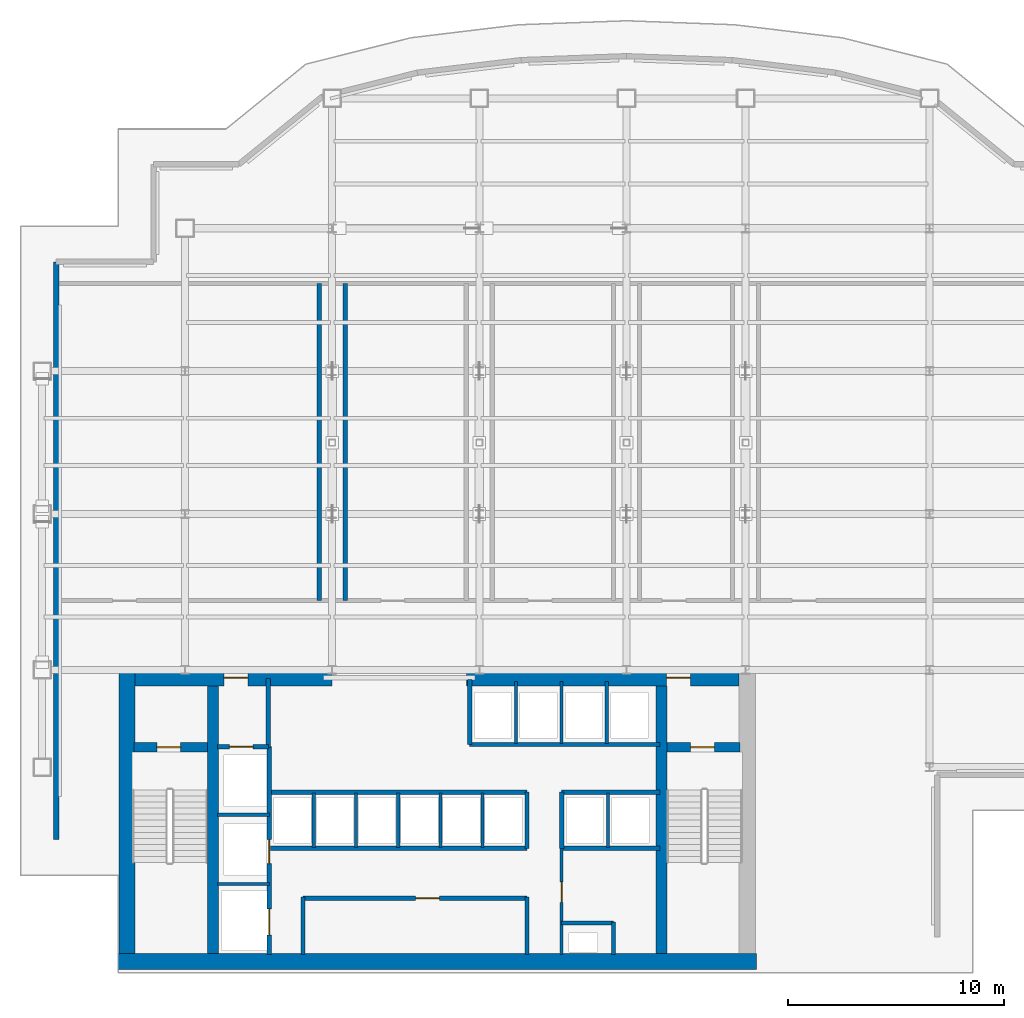
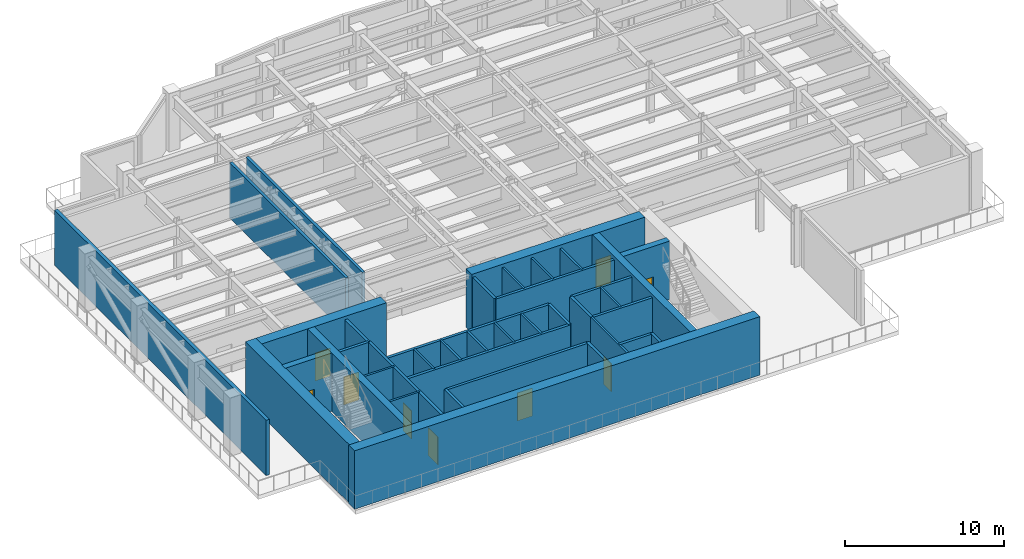
# One storey, part 8 of 12: 39 walls, 9 doors, 9 openings.
"""IFC4 building model written with IfcOpenShell, lengths in metres."""

from ifc_helpers import new_model, si_unit, derived_unit, direction, frame, frame_2d, origin, place, context, subcontext, project, spatial, rectangle, extrude, source, transform, mapped, material, layer, layer_set, type_object, element, fill, save


model = new_model("IFC4")

# Units and contexts
model_context = context("Model", 3, precision=1e-05, world=origin(), true_north=direction((0.0, 1.0)))
body_context = subcontext(model_context, "Body", "Model", "MODEL_VIEW")
ifc_project = project(units=[si_unit("LENGTHUNIT", "METRE"), si_unit("AREAUNIT", "SQUARE_METRE"), si_unit("VOLUMEUNIT", "CUBIC_METRE"), si_unit("PLANEANGLEUNIT", "RADIAN"), si_unit("MASSUNIT", "GRAM", prefix="KILO"), derived_unit("THERMALTRANSMITTANCEUNIT", [(si_unit("POWERUNIT", "WATT"), 1), (si_unit("LENGTHUNIT", "METRE"), -2), (si_unit("THERMODYNAMICTEMPERATUREUNIT", "KELVIN"), -1)])], contexts=[model_context])

# Site, building, storey
site_placement = place(None, origin())
site = spatial("IfcSite", under=ifc_project, at=site_placement, CompositionType="ELEMENT")
building_placement = place(site_placement, origin())
building = spatial("IfcBuilding", under=site, at=building_placement, Name="Skarnbrae Concourse Arena and Tower", CompositionType="ELEMENT")
storey_placement = place(building_placement, frame((0.0, 0.0, 136.10009765625)))
storey = spatial("IfcBuildingStorey", under=building, at=storey_placement, Name="L34", CompositionType="ELEMENT", Elevation=136.10009765625)

# Walls
ifc_material_1 = material(Name="Concrete 60 MPa (C60/75)", Category="concrete")
ifc_layer_1 = layer(ifc_material_1, 0.75)
ifc_layer_set_1 = layer_set([ifc_layer_1], Name="Concrete 60 MPa (C60/75)")
wall_type_1 = type_object("IfcWallType", Name="WALL-CORE-750-C60", PredefinedType="SHEAR", material=ifc_layer_set_1)
shared_shape_1 = source(origin(), body_context, "Body", "SweptSolid", [
    extrude(rectangle(XDim=29.5, YDim=0.75, at=frame_2d((14.75, 0.0))), origin(), (0.0, 0.0, 1.0), 4.5),
])
wall_1_placement = place(storey_placement, frame((4.5, 0.52490234375, 0.0), z_axis=(0.0, 0.0, 1.0), x_axis=(1.0, 0.0, 0.0)))
element("IfcWall", 1, at=wall_1_placement, inside=storey, type_object=wall_type_1, Name="L34 Rear core shear wall CW-S", PredefinedType="SHEAR", context=body_context, shape_type="MappedRepresentation", body=[
    mapped(shared_shape_1, transform((0.0, 0.0, 0.0))),
])
shared_shape_2 = source(origin(), body_context, "Body", "SweptSolid", [
    extrude(rectangle(XDim=13.10009765625, YDim=0.75, at=frame_2d((6.550048828125, 0.0))), origin(), (0.0, 0.0, 1.0), 4.5),
])
wall_2_placement = place(storey_placement, frame((4.925048828125, 0.89990234375, 0.0), z_axis=(0.0, 0.0, 1.0), x_axis=(0.0, 1.0, 0.0)))
element("IfcWall", 2, at=wall_2_placement, inside=storey, type_object=wall_type_1, Name="L34 Rear core shear wall CW-W", PredefinedType="SHEAR", context=body_context, shape_type="MappedRepresentation", body=[
    mapped(shared_shape_2, transform((0.0, 0.0, 0.0))),
])

# Wall, opening, door
shared_shape_3 = source(origin(), body_context, "Body", "SweptSolid", [
    extrude(rectangle(XDim=9.099853515625, YDim=0.75, at=frame_2d((4.5498046875, 0.0))), origin(), (0.0, 0.0, 1.0), 4.5),
])
wall_3_placement = place(storey_placement, frame((5.300048828125, 13.625, 0.0), z_axis=(0.0, 0.0, 1.0), x_axis=(1.0, 0.0, 0.0)))
wall_3 = element("IfcWall", 3, at=wall_3_placement, inside=storey, type_object=wall_type_1, Name="L34 Rear core shear wall CW-NW", PredefinedType="SHEAR", context=body_context, shape_type="MappedRepresentation", body=[
    mapped(shared_shape_3, transform((0.0, 0.0, 0.0))),
])
opening_1_placement = place(wall_3_placement, frame((4.10009765625, 0.0, 0.0)))
opening_1 = element("IfcOpeningElement", 4, at=opening_1_placement, cuts=wall_3, Name="Opening DT-03", PredefinedType="OPENING", context=body_context, shape_type="SweptSolid", body=[
    extrude(rectangle(XDim=1.10009765625, YDim=2.14990234375, at=frame_2d((0.550048828125, 1.074951171875))), frame((0.0, 0.385009765625, 0.0), z_axis=(0.0, -1.0, 0.0), x_axis=(1.0, 0.0, 0.0)), (0.0, 0.0, 1.0), 0.77001953125),
])
ifc_material_2 = material(Name="Steel CSA G40.21 350W", Category="steel")
door_type_1 = type_object("IfcDoorType", Name="DOOR-FIRE-1100-90M", OperationType="NOTDEFINED", PredefinedType="DOOR", material=ifc_material_2)
shared_shape_4 = source(origin(), body_context, "Body", "SweptSolid", [
    extrude(rectangle(XDim=1.10009765625, YDim=2.14990234375, at=frame_2d((0.550048828125, 1.074951171875))), frame((0.0, 0.02490234375, 0.0), z_axis=(0.0, -1.0, 0.0), x_axis=(1.0, 0.0, 0.0)), (0.0, 0.0, 1.0), 0.050048828125),
])
door_1_placement = place(opening_1_placement, origin())
door_1 = element("IfcDoor", 5, at=door_1_placement, inside=storey, type_object=door_type_1, Name="D-1083 Firefighting Lobby Exit Door", OperationType="SINGLE_SWING_RIGHT", OverallHeight=2.14990234375, OverallWidth=1.10009765625, PredefinedType="DOOR", context=body_context, shape_type="MappedRepresentation", body=[
    mapped(shared_shape_4, transform((0.0, 0.0, 0.0))),
])
fill(opening_1, door_1)

shared_shape_5 = source(origin(), body_context, "Body", "SweptSolid", [
    extrude(rectangle(XDim=12.599853515625, YDim=0.75, at=frame_2d((6.2998046875, 0.0))), origin(), (0.0, 0.0, 1.0), 4.5),
])
wall_4_placement = place(storey_placement, frame((20.60009765625, 13.625, 0.0), z_axis=(0.0, 0.0, 1.0), x_axis=(1.0, 0.0, 0.0)))
wall_4 = element("IfcWall", 6, at=wall_4_placement, inside=storey, type_object=wall_type_1, Name="L34 Rear core shear wall CW-NE", PredefinedType="SHEAR", context=body_context, shape_type="MappedRepresentation", body=[
    mapped(shared_shape_5, transform((0.0, 0.0, 0.0))),
])
opening_2_placement = place(wall_4_placement, frame((9.25, 0.0, 0.0)))
opening_2 = element("IfcOpeningElement", 7, at=opening_2_placement, cuts=wall_4, Name="Opening DT-03", PredefinedType="OPENING", context=body_context, shape_type="SweptSolid", body=[
    extrude(rectangle(XDim=1.10009765625, YDim=2.14990234375, at=frame_2d((0.550048828125, 1.074951171875))), frame((0.0, 0.385009765625, 0.0), z_axis=(0.0, -1.0, 0.0), x_axis=(1.0, 0.0, 0.0)), (0.0, 0.0, 1.0), 0.77001953125),
])
door_2_placement = place(opening_2_placement, origin())
door_2 = element("IfcDoor", 8, at=door_2_placement, inside=storey, type_object=door_type_1, Name="D-1084 Stair ST-2 Vestibule Door", OperationType="SINGLE_SWING_LEFT", OverallHeight=2.14990234375, OverallWidth=1.10009765625, PredefinedType="DOOR", context=body_context, shape_type="MappedRepresentation", body=[
    mapped(shared_shape_4, transform((0.0, 0.0, 0.0))),
])
fill(opening_2, door_2)

# Walls
ifc_layer_2 = layer(ifc_material_1, 0.5)
ifc_layer_set_2 = layer_set([ifc_layer_2], Name="Concrete 60 MPa (C60/75)")
wall_type_2 = type_object("IfcWallType", Name="WALL-CORE-500-C60", PredefinedType="SHEAR", material=ifc_layer_set_2)
shared_shape_6 = source(origin(), body_context, "Body", "SweptSolid", [
    extrude(rectangle(XDim=12.35009765625, YDim=0.5, at=frame_2d((6.175048828125, 0.0))), origin(), (0.0, 0.0, 1.0), 4.5),
])
for number, where, z_axis, x_axis, name in (
    (9, (8.889892578125, 0.89990234375, 0.0), (0.0, 0.0, 1.0), (0.0, 1.0, 0.0), "L34 Rear core shear wall CW-WEB-W"),
    (10, (29.610107421875, 0.89990234375, 0.0), (0.0, 0.0, 1.0), (0.0, 1.0, 0.0), "L34 Rear core shear wall CW-WEB-E"),
):
    element("IfcWall", number, at=place(storey_placement, frame(where, z_axis=z_axis, x_axis=x_axis)), inside=storey, type_object=wall_type_2, Name=name, PredefinedType="SHEAR", context=body_context, shape_type="MappedRepresentation", body=[
        mapped(shared_shape_6, transform((0.0, 0.0, 0.0))),
    ])

# Wall, opening, door
ifc_material_3 = material(Name="Concrete 50 MPa (C50/60)", Category="concrete")
ifc_layer_3 = layer(ifc_material_3, 0.449951171875)
ifc_layer_set_3 = layer_set([ifc_layer_3], Name="Concrete 50 MPa (C50/60)")
wall_type_3 = type_object("IfcWallType", Name="WALL-CORE-450-C50", PredefinedType="SHEAR", material=ifc_layer_set_3)
shared_shape_7 = source(origin(), body_context, "Body", "SweptSolid", [
    extrude(rectangle(XDim=3.389892578125, YDim=0.449951171875, at=frame_2d((1.69482421875, 0.0))), origin(), (0.0, 0.0, 1.0), 4.5),
])
wall_5_placement = place(storey_placement, frame((5.25, 10.419921875, 0.0), z_axis=(0.0, 0.0, 1.0), x_axis=(1.0, 0.0, 0.0)))
wall_5 = element("IfcWall", 11, at=wall_5_placement, inside=storey, type_object=wall_type_3, Name="L34 Rear core shear wall CW-ST1-N", PredefinedType="SHEAR", context=body_context, shape_type="MappedRepresentation", body=[
    mapped(shared_shape_7, transform((0.0, 0.0, 0.0))),
])
opening_3_placement = place(wall_5_placement, frame((1.050048828125, 0.0, 0.0)))
opening_3 = element("IfcOpeningElement", 12, at=opening_3_placement, cuts=wall_5, Name="Opening DT-03", PredefinedType="OPENING", context=body_context, shape_type="SweptSolid", body=[
    extrude(rectangle(XDim=1.10009765625, YDim=2.14990234375, at=frame_2d((0.550048828125, 1.074951171875))), frame((0.0, 0.23486328125, 0.0), z_axis=(0.0, -1.0, 0.0), x_axis=(1.0, 0.0, 0.0)), (0.0, 0.0, 1.0), 0.469970703125),
])
door_3_placement = place(opening_3_placement, frame((1.10009765625, 0.0, 0.0), z_axis=(0.0, 0.0, 1.0), x_axis=(-1.0, 0.0, 0.0)))
door_3 = element("IfcDoor", 13, at=door_3_placement, inside=storey, type_object=door_type_1, Name="D-1081 Stair ST-1 Door", OperationType="SINGLE_SWING_LEFT", OverallHeight=2.14990234375, OverallWidth=1.10009765625, PredefinedType="DOOR", context=body_context, shape_type="MappedRepresentation", body=[
    mapped(shared_shape_4, transform((0.0, 0.0, 0.0))),
])
fill(opening_3, door_3)

wall_6_placement = place(storey_placement, frame((29.860107421875, 10.419921875, 0.0), z_axis=(0.0, 0.0, 1.0), x_axis=(1.0, 0.0, 0.0)))
wall_6 = element("IfcWall", 14, at=wall_6_placement, inside=storey, type_object=wall_type_3, Name="L34 Rear core shear wall CW-ST2-N", PredefinedType="SHEAR", context=body_context, shape_type="MappedRepresentation", body=[
    mapped(shared_shape_7, transform((0.0, 0.0, 0.0))),
])
opening_4_placement = place(wall_6_placement, frame((1.10009765625, 0.0, 0.0)))
opening_4 = element("IfcOpeningElement", 15, at=opening_4_placement, cuts=wall_6, Name="Opening DT-03", PredefinedType="OPENING", context=body_context, shape_type="SweptSolid", body=[
    extrude(rectangle(XDim=1.10009765625, YDim=2.14990234375, at=frame_2d((0.550048828125, 1.074951171875))), frame((0.0, 0.23486328125, 0.0), z_axis=(0.0, -1.0, 0.0), x_axis=(1.0, 0.0, 0.0)), (0.0, 0.0, 1.0), 0.469970703125),
])
door_4_placement = place(opening_4_placement, frame((1.10009765625, 0.0, 0.0), z_axis=(0.0, 0.0, 1.0), x_axis=(-1.0, 0.0, 0.0)))
door_4 = element("IfcDoor", 16, at=door_4_placement, inside=storey, type_object=door_type_1, Name="D-1082 Stair ST-2 Door", OperationType="SINGLE_SWING_RIGHT", OverallHeight=2.14990234375, OverallWidth=1.10009765625, PredefinedType="DOOR", context=body_context, shape_type="MappedRepresentation", body=[
    mapped(shared_shape_4, transform((0.0, 0.0, 0.0))),
])
fill(opening_4, door_4)

# Walls
ifc_material_4 = material(Name="Precast concrete 40 MPa (C40/50)", Category="concrete")
ifc_layer_4 = layer(ifc_material_4, 0.25)
ifc_layer_set_4 = layer_set([ifc_layer_4], Name="Precast concrete 40 MPa (C40/50)")
wall_type_4 = type_object("IfcWallType", Name="WALL-EXT-SPANDREL-250", PredefinedType="STANDARD", material=ifc_layer_set_4)
shared_shape_8 = source(origin(), body_context, "Body", "SweptSolid", [
    extrude(rectangle(XDim=26.7001953125, YDim=0.25, at=frame_2d((13.35009765625, 0.0))), origin(), (0.0, 0.0, 1.0), 4.25),
])
wall_7_placement = place(storey_placement, frame((1.64990234375, 6.14990234375, 0.0), z_axis=(0.0, 0.0, 1.0), x_axis=(0.0, 1.0, 0.0)))
element("IfcWall", 17, at=wall_7_placement, inside=storey, type_object=wall_type_4, Name="L34 Recessed refuge mechanical band wall 03", PredefinedType="STANDARD", context=body_context, shape_type="MappedRepresentation", body=[
    mapped(shared_shape_8, transform((0.0, 0.0, 0.0))),
])
ifc_material_5 = material(Name="Gypsum board on cold-formed steel studs", Category="steel")
ifc_layer_5 = layer(ifc_material_5, 0.199951171875)
ifc_layer_set_5 = layer_set([ifc_layer_5], Name="Gypsum board on cold-formed steel studs")
wall_type_5 = type_object("IfcWallType", Name="WALL-PART-200-2HR", PredefinedType="PARTITIONING", material=ifc_layer_set_5)
shared_shape_9 = source(origin(), body_context, "Body", "SweptSolid", [
    extrude(rectangle(XDim=3.18017578125, YDim=0.199951171875, at=frame_2d((1.590087890625, 0.0))), origin(), (0.0, 0.0, 1.0), 4.25),
])
wall_8_placement = place(storey_placement, frame((11.449951171875, 10.419921875, 0.0), z_axis=(0.0, 0.0, 1.0), x_axis=(0.0, 1.0, 0.0)))
element("IfcWall", 18, at=wall_8_placement, inside=storey, type_object=wall_type_5, Name="L34 Interior partition wall W-L34-FFL-E", PredefinedType="PARTITIONING", context=body_context, shape_type="MappedRepresentation", body=[
    mapped(shared_shape_9, transform((0.0, 0.0, 0.0))),
])

# Wall, opening, door
shared_shape_10 = source(origin(), body_context, "Body", "SweptSolid", [
    extrude(rectangle(XDim=2.349853515625, YDim=0.199951171875, at=frame_2d((1.1748046875, 0.0))), origin(), (0.0, 0.0, 1.0), 4.25),
])
wall_9_placement = place(storey_placement, frame((9.10009765625, 10.449951171875, 0.0), z_axis=(0.0, 0.0, 1.0), x_axis=(1.0, 0.0, 0.0)))
wall_9 = element("IfcWall", 19, at=wall_9_placement, inside=storey, type_object=wall_type_5, Name="L34 Interior partition wall W-L34-FL1-N", PredefinedType="PARTITIONING", context=body_context, shape_type="MappedRepresentation", body=[
    mapped(shared_shape_10, transform((0.0, 0.0, 0.0))),
])
opening_5_placement = place(wall_9_placement, frame((0.550048828125, 0.0, 0.0)))
opening_5 = element("IfcOpeningElement", 20, at=opening_5_placement, cuts=wall_9, Name="Opening LD-01", PredefinedType="OPENING", context=body_context, shape_type="SweptSolid", body=[
    extrude(rectangle(XDim=1.10009765625, YDim=2.14990234375, at=frame_2d((0.550048828125, 1.074951171875))), frame((0.0, 0.10986328125, 0.0), z_axis=(0.0, -1.0, 0.0), x_axis=(1.0, 0.0, 0.0)), (0.0, 0.0, 1.0), 0.219970703125),
])
door_type_2 = type_object("IfcDoorType", Name="DOOR-LIFT-SLIDE-1100", OperationType="SLIDING_TO_LEFT", PredefinedType="DOOR", material=ifc_material_2)
door_5_placement = place(opening_5_placement, origin())
door_5 = element("IfcDoor", 21, at=door_5_placement, inside=storey, type_object=door_type_2, Name="D-1085 Firefighting Lift Landing Door FL-01", OperationType="SLIDING_TO_LEFT", OverallHeight=2.14990234375, OverallWidth=1.10009765625, PredefinedType="DOOR", context=body_context, shape_type="MappedRepresentation", body=[
    mapped(shared_shape_4, transform((0.0, 0.0, 0.0))),
])
fill(opening_5, door_5)

# Wall, openings, doors
shared_shape_11 = source(origin(), body_context, "Body", "SweptSolid", [
    extrude(rectangle(XDim=9.599853515625, YDim=0.199951171875, at=frame_2d((4.7998046875, 0.0))), origin(), (0.0, 0.0, 1.0), 4.25),
])
wall_10_placement = place(storey_placement, frame((11.5, 0.85009765625, 0.0), z_axis=(0.0, 0.0, 1.0), x_axis=(0.0, 1.0, 0.0)))
wall_10 = element("IfcWall", 22, at=wall_10_placement, inside=storey, type_object=wall_type_5, Name="L34 Interior partition wall W-L34-FL-E", PredefinedType="PARTITIONING", context=body_context, shape_type="MappedRepresentation", body=[
    mapped(shared_shape_11, transform((0.0, 0.0, 0.0))),
])
opening_6_placement = place(wall_10_placement, frame((4.199951171875, 0.0, 0.0)))
opening_6 = element("IfcOpeningElement", 23, at=opening_6_placement, cuts=wall_10, Name="Opening LD-01", PredefinedType="OPENING", context=body_context, shape_type="SweptSolid", body=[
    extrude(rectangle(XDim=1.10009765625, YDim=2.14990234375, at=frame_2d((0.550048828125, 1.074951171875))), frame((0.0, 0.10986328125, 0.0), z_axis=(0.0, -1.0, 0.0), x_axis=(1.0, 0.0, 0.0)), (0.0, 0.0, 1.0), 0.219970703125),
])
opening_7_placement = place(wall_10_placement, frame((0.89990234375, 0.0, 0.0)))
opening_7 = element("IfcOpeningElement", 24, at=opening_7_placement, cuts=wall_10, Name="Opening LD-02", PredefinedType="OPENING", context=body_context, shape_type="SweptSolid", body=[
    extrude(rectangle(XDim=1.199951171875, YDim=2.14990234375, at=frame_2d((0.60009765625, 1.074951171875))), frame((0.0, 0.10986328125, 0.0), z_axis=(0.0, -1.0, 0.0), x_axis=(1.0, 0.0, 0.0)), (0.0, 0.0, 1.0), 0.219970703125),
])
door_6_placement = place(opening_6_placement, frame((1.10009765625, 0.0, 0.0), z_axis=(0.0, 0.0, 1.0), x_axis=(-1.0, 0.0, 0.0)))
door_6 = element("IfcDoor", 25, at=door_6_placement, inside=storey, type_object=door_type_2, Name="D-1086 Firefighting Lift Landing Door FL-02", OperationType="SLIDING_TO_LEFT", OverallHeight=2.14990234375, OverallWidth=1.10009765625, PredefinedType="DOOR", context=body_context, shape_type="MappedRepresentation", body=[
    mapped(shared_shape_4, transform((0.0, 0.0, 0.0))),
])
fill(opening_6, door_6)
door_type_3 = type_object("IfcDoorType", Name="DOOR-LIFT-SLIDE-1200", OperationType="SLIDING_TO_LEFT", PredefinedType="DOOR", material=ifc_material_2)
shared_shape_12 = source(origin(), body_context, "Body", "SweptSolid", [
    extrude(rectangle(XDim=1.199951171875, YDim=2.14990234375, at=frame_2d((0.60009765625, 1.074951171875))), frame((0.0, 0.02490234375, 0.0), z_axis=(0.0, -1.0, 0.0), x_axis=(1.0, 0.0, 0.0)), (0.0, 0.0, 1.0), 0.050048828125),
])
door_7_placement = place(opening_7_placement, frame((1.199951171875, 0.0, 0.0), z_axis=(0.0, 0.0, 1.0), x_axis=(-1.0, 0.0, 0.0)))
door_7 = element("IfcDoor", 26, at=door_7_placement, inside=storey, type_object=door_type_3, Name="D-1087 Service Lift Landing Door SV-01", OperationType="SLIDING_TO_LEFT", OverallHeight=2.14990234375, OverallWidth=1.199951171875, PredefinedType="DOOR", context=body_context, shape_type="MappedRepresentation", body=[
    mapped(shared_shape_12, transform((0.0, 0.0, 0.0))),
])
fill(opening_7, door_7)

# Walls
ifc_layer_6 = layer(ifc_material_5, 0.14990234375)
ifc_layer_set_6 = layer_set([ifc_layer_6], Name="Gypsum board on cold-formed steel studs")
wall_type_6 = type_object("IfcWallType", Name="WALL-PART-150", PredefinedType="PARTITIONING", material=ifc_layer_set_6)
shared_shape_13 = source(origin(), body_context, "Body", "SweptSolid", [
    extrude(rectangle(XDim=2.39990234375, YDim=0.14990234375, at=frame_2d((1.199951171875, 0.0))), origin(), (0.0, 0.0, 1.0), 4.25),
])
for number, where, z_axis, x_axis, name in (
    (27, (9.10009765625, 4.10009765625, 0.0), (0.0, 0.0, 1.0), (1.0, 0.0, 0.0), "L34 Interior partition wall W-L34-FL-D1"),
    (28, (9.10009765625, 7.300048828125, 0.0), (0.0, 0.0, 1.0), (1.0, 0.0, 0.0), "L34 Interior partition wall W-L34-FL-D2"),
):
    element("IfcWall", number, at=place(storey_placement, frame(where, z_axis=z_axis, x_axis=x_axis)), inside=storey, type_object=wall_type_6, Name=name, PredefinedType="PARTITIONING", context=body_context, shape_type="MappedRepresentation", body=[
        mapped(shared_shape_13, transform((0.0, 0.0, 0.0))),
    ])
shared_shape_14 = source(origin(), body_context, "Body", "SweptSolid", [
    extrude(rectangle(XDim=2.64990234375, YDim=0.199951171875, at=frame_2d((1.324951171875, 0.0))), origin(), (0.0, 0.0, 1.0), 4.25),
])
for number, where, z_axis, x_axis, name in (
    (29, (13.050048828125, 0.85009765625, 0.0), (0.0, 0.0, 1.0), (0.0, 1.0, 0.0), "L34 Interior partition wall W-L34-B1B-W"),
    (30, (23.39990234375, 0.85009765625, 0.0), (0.0, 0.0, 1.0), (0.0, 1.0, 0.0), "L34 Interior partition wall W-L34-B1B-E"),
):
    element("IfcWall", number, at=place(storey_placement, frame(where, z_axis=z_axis, x_axis=x_axis)), inside=storey, type_object=wall_type_5, Name=name, PredefinedType="PARTITIONING", context=body_context, shape_type="MappedRepresentation", body=[
        mapped(shared_shape_14, transform((0.0, 0.0, 0.0))),
    ])

# Wall, opening, door
shared_shape_15 = source(origin(), body_context, "Body", "SweptSolid", [
    extrude(rectangle(XDim=10.349853515625, YDim=0.199951171875, at=frame_2d((5.1748046875, 0.0))), origin(), (0.0, 0.0, 1.0), 4.25),
])
wall_11_placement = place(storey_placement, frame((13.050048828125, 3.449951171875, 0.0), z_axis=(0.0, 0.0, 1.0), x_axis=(1.0, 0.0, 0.0)))
wall_11 = element("IfcWall", 31, at=wall_11_placement, inside=storey, type_object=wall_type_5, Name="L34 Interior partition wall W-L34-B1B-N", PredefinedType="PARTITIONING", context=body_context, shape_type="MappedRepresentation", body=[
    mapped(shared_shape_15, transform((0.0, 0.0, 0.0))),
])
opening_8_placement = place(wall_11_placement, frame((5.199951171875, 0.0, 0.0)))
opening_8 = element("IfcOpeningElement", 32, at=opening_8_placement, cuts=wall_11, Name="Opening DT-03", PredefinedType="OPENING", context=body_context, shape_type="SweptSolid", body=[
    extrude(rectangle(XDim=1.10009765625, YDim=2.14990234375, at=frame_2d((0.550048828125, 1.074951171875))), frame((0.0, 0.10986328125, 0.0), z_axis=(0.0, -1.0, 0.0), x_axis=(1.0, 0.0, 0.0)), (0.0, 0.0, 1.0), 0.219970703125),
])
door_8_placement = place(opening_8_placement, origin())
door_8 = element("IfcDoor", 33, at=door_8_placement, inside=storey, type_object=door_type_1, Name="D-1088 Core Plant Door", OperationType="SINGLE_SWING_LEFT", OverallHeight=2.14990234375, OverallWidth=1.10009765625, PredefinedType="DOOR", context=body_context, shape_type="MappedRepresentation", body=[
    mapped(shared_shape_4, transform((0.0, 0.0, 0.0))),
])
fill(opening_8, door_8)

# Walls
shared_shape_16 = source(origin(), body_context, "Body", "SweptSolid", [
    extrude(rectangle(XDim=11.849853515625, YDim=0.199951171875, at=frame_2d((5.9248046875, 0.0))), origin(), (0.0, 0.0, 1.0), 4.25),
])
for number, where, z_axis, x_axis, name in (
    (34, (11.550048828125, 5.75, 0.0), (0.0, 0.0, 1.0), (1.0, 0.0, 0.0), "L34 Interior partition wall W-L34-B2-S"),
    (35, (11.550048828125, 8.35009765625, 0.0), (0.0, 0.0, 1.0), (1.0, 0.0, 0.0), "L34 Interior partition wall W-L34-B2-N"),
):
    element("IfcWall", number, at=place(storey_placement, frame(where, z_axis=z_axis, x_axis=x_axis)), inside=storey, type_object=wall_type_5, Name=name, PredefinedType="PARTITIONING", context=body_context, shape_type="MappedRepresentation", body=[
        mapped(shared_shape_16, transform((0.0, 0.0, 0.0))),
    ])
shared_shape_17 = source(origin(), body_context, "Body", "SweptSolid", [
    extrude(rectangle(XDim=2.60009765625, YDim=0.199951171875, at=frame_2d((1.300048828125, 0.0))), origin(), (0.0, 0.0, 1.0), 4.25),
])
for number, where, z_axis, x_axis, name in (
    (36, (23.39990234375, 5.75, 0.0), (0.0, 0.0, 1.0), (0.0, 1.0, 0.0), "L34 Interior partition wall W-L34-B2-E"),
    (37, (25.0, 5.75, 0.0), (0.0, 0.0, 1.0), (0.0, 1.0, 0.0), "L34 Interior partition wall W-L34-B3S-W"),
):
    element("IfcWall", number, at=place(storey_placement, frame(where, z_axis=z_axis, x_axis=x_axis)), inside=storey, type_object=wall_type_5, Name=name, PredefinedType="PARTITIONING", context=body_context, shape_type="MappedRepresentation", body=[
        mapped(shared_shape_17, transform((0.0, 0.0, 0.0))),
    ])

# Wall, opening, door
ifc_layer_7 = layer(ifc_material_5, 0.14990234375)
ifc_layer_set_7 = layer_set([ifc_layer_7], Name="Gypsum board on cold-formed steel studs")
wall_type_7 = type_object("IfcWallType", Name="WALL-PART-150-1HR", PredefinedType="PARTITIONING", material=ifc_layer_set_7)
shared_shape_18 = source(origin(), body_context, "Body", "SweptSolid", [
    extrude(rectangle(XDim=4.89990234375, YDim=0.14990234375, at=frame_2d((2.449951171875, 0.0))), origin(), (0.0, 0.0, 1.0), 4.25),
])
wall_12_placement = place(storey_placement, frame((25.0, 0.85009765625, 0.0), z_axis=(0.0, 0.0, 1.0), x_axis=(0.0, 1.0, 0.0)))
wall_12 = element("IfcWall", 38, at=wall_12_placement, inside=storey, type_object=wall_type_7, Name="L34 Interior partition wall W-L34-CSV-W", PredefinedType="PARTITIONING", context=body_context, shape_type="MappedRepresentation", body=[
    mapped(shared_shape_18, transform((0.0, 0.0, 0.0))),
])
opening_9_placement = place(wall_12_placement, frame((2.39990234375, 0.0, 0.0)))
opening_9 = element("IfcOpeningElement", 39, at=opening_9_placement, cuts=wall_12, Name="Opening DT-04", PredefinedType="OPENING", context=body_context, shape_type="SweptSolid", body=[
    extrude(rectangle(XDim=0.949951171875, YDim=2.14990234375, at=frame_2d((0.47509765625, 1.074951171875))), frame((0.0, 0.0849609375, 0.0), z_axis=(0.0, -1.0, 0.0), x_axis=(1.0, 0.0, 0.0)), (0.0, 0.0, 1.0), 0.169921875),
])
door_type_4 = type_object("IfcDoorType", Name="DOOR-INT-950-45M", OperationType="NOTDEFINED", PredefinedType="DOOR", material=ifc_material_2)
shared_shape_19 = source(origin(), body_context, "Body", "SweptSolid", [
    extrude(rectangle(XDim=0.949951171875, YDim=2.14990234375, at=frame_2d((0.47509765625, 1.074951171875))), frame((0.0, 0.02490234375, 0.0), z_axis=(0.0, -1.0, 0.0), x_axis=(1.0, 0.0, 0.0)), (0.0, 0.0, 1.0), 0.050048828125),
])
door_9_placement = place(opening_9_placement, origin())
door_9 = element("IfcDoor", 40, at=door_9_placement, inside=storey, type_object=door_type_4, Name="D-1089 Core Riser Plant Door", OperationType="SINGLE_SWING_LEFT", OverallHeight=2.14990234375, OverallWidth=0.949951171875, PredefinedType="DOOR", context=body_context, shape_type="MappedRepresentation", body=[
    mapped(shared_shape_19, transform((0.0, 0.0, 0.0))),
])
fill(opening_9, door_9)

# Walls
shared_shape_20 = source(origin(), body_context, "Body", "SweptSolid", [
    extrude(rectangle(XDim=2.39990234375, YDim=0.199951171875, at=frame_2d((1.199951171875, 0.0))), origin(), (0.0, 0.0, 1.0), 4.25),
])
wall_13_placement = place(storey_placement, frame((25.0, 2.300048828125, 0.0), z_axis=(0.0, 0.0, 1.0), x_axis=(1.0, 0.0, 0.0)))
element("IfcWall", 41, at=wall_13_placement, inside=storey, type_object=wall_type_5, Name="L34 Interior partition wall W-L34-MEP-N", PredefinedType="PARTITIONING", context=body_context, shape_type="MappedRepresentation", body=[
    mapped(shared_shape_20, transform((0.0, 0.0, 0.0))),
])
shared_shape_21 = source(origin(), body_context, "Body", "SweptSolid", [
    extrude(rectangle(XDim=1.5, YDim=0.199951171875, at=frame_2d((0.75, 0.0))), origin(), (0.0, 0.0, 1.0), 4.25),
])
wall_14_placement = place(storey_placement, frame((27.39990234375, 0.85009765625, 0.0), z_axis=(0.0, 0.0, 1.0), x_axis=(0.0, 1.0, 0.0)))
element("IfcWall", 42, at=wall_14_placement, inside=storey, type_object=wall_type_5, Name="L34 Interior partition wall W-L34-MEP-E", PredefinedType="PARTITIONING", context=body_context, shape_type="MappedRepresentation", body=[
    mapped(shared_shape_21, transform((0.0, 0.0, 0.0))),
])
shared_shape_22 = source(origin(), body_context, "Body", "SweptSolid", [
    extrude(rectangle(XDim=2.5, YDim=0.14990234375, at=frame_2d((1.25, 0.0))), origin(), (0.0, 0.0, 1.0), 4.25),
])
for number, where, z_axis, x_axis, name in (
    (43, (13.550048828125, 5.800048828125, 0.0), (0.0, 0.0, 1.0), (0.0, 1.0, 0.0), "L34 Interior partition wall W-L34-B2-P1"),
    (44, (15.5, 5.800048828125, 0.0), (0.0, 0.0, 1.0), (0.0, 1.0, 0.0), "L34 Interior partition wall W-L34-B2-P2"),
    (45, (17.449951171875, 5.800048828125, 0.0), (0.0, 0.0, 1.0), (0.0, 1.0, 0.0), "L34 Interior partition wall W-L34-B2-P3"),
    (46, (19.39990234375, 5.800048828125, 0.0), (0.0, 0.0, 1.0), (0.0, 1.0, 0.0), "L34 Interior partition wall W-L34-B2-P4"),
    (47, (21.35009765625, 5.800048828125, 0.0), (0.0, 0.0, 1.0), (0.0, 1.0, 0.0), "L34 Interior partition wall W-L34-B2-P5"),
    (48, (27.139892578125, 5.800048828125, 0.0), (0.0, 0.0, 1.0), (0.0, 1.0, 0.0), "L34 Interior partition wall W-L34-B3S-P1"),
):
    element("IfcWall", number, at=place(storey_placement, frame(where, z_axis=z_axis, x_axis=x_axis)), inside=storey, type_object=wall_type_6, Name=name, PredefinedType="PARTITIONING", context=body_context, shape_type="MappedRepresentation", body=[
        mapped(shared_shape_22, transform((0.0, 0.0, 0.0))),
    ])
shared_shape_23 = source(origin(), body_context, "Body", "SweptSolid", [
    extrude(rectangle(XDim=8.800048828125, YDim=0.199951171875, at=frame_2d((4.39990234375, 0.0))), origin(), (0.0, 0.0, 1.0), 4.25),
])
wall_15_placement = place(storey_placement, frame((20.75, 10.550048828125, 0.0), z_axis=(0.0, 0.0, 1.0), x_axis=(1.0, 0.0, 0.0)))
element("IfcWall", 49, at=wall_15_placement, inside=storey, type_object=wall_type_5, Name="L34 Interior partition wall W-L34-B3N-S", PredefinedType="PARTITIONING", context=body_context, shape_type="MappedRepresentation", body=[
    mapped(shared_shape_23, transform((0.0, 0.0, 0.0))),
])
shared_shape_24 = source(origin(), body_context, "Body", "SweptSolid", [
    extrude(rectangle(XDim=3.0, YDim=0.199951171875, at=frame_2d((1.5, 0.0))), origin(), (0.0, 0.0, 1.0), 4.25),
])
wall_16_placement = place(storey_placement, frame((20.75, 10.550048828125, 0.0), z_axis=(0.0, 0.0, 1.0), x_axis=(0.0, 1.0, 0.0)))
element("IfcWall", 50, at=wall_16_placement, inside=storey, type_object=wall_type_5, Name="L34 Interior partition wall W-L34-B3N-W", PredefinedType="PARTITIONING", context=body_context, shape_type="MappedRepresentation", body=[
    mapped(shared_shape_24, transform((0.0, 0.0, 0.0))),
])
shared_shape_25 = source(origin(), body_context, "Body", "SweptSolid", [
    extrude(rectangle(XDim=2.849853515625, YDim=0.14990234375, at=frame_2d((1.4248046875, 0.0))), origin(), (0.0, 0.0, 1.0), 4.25),
])
for number, where, z_axis, x_axis, name in (
    (51, (22.889892578125, 10.60009765625, 0.0), (0.0, 0.0, 1.0), (0.0, 1.0, 0.0), "L34 Interior partition wall W-L34-B3N-P1"),
    (52, (24.989990234375, 10.60009765625, 0.0), (0.0, 0.0, 1.0), (0.0, 1.0, 0.0), "L34 Interior partition wall W-L34-B3N-P2"),
    (53, (27.090087890625, 10.60009765625, 0.0), (0.0, 0.0, 1.0), (0.0, 1.0, 0.0), "L34 Interior partition wall W-L34-B3N-P3"),
):
    element("IfcWall", number, at=place(storey_placement, frame(where, z_axis=z_axis, x_axis=x_axis)), inside=storey, type_object=wall_type_6, Name=name, PredefinedType="PARTITIONING", context=body_context, shape_type="MappedRepresentation", body=[
        mapped(shared_shape_25, transform((0.0, 0.0, 0.0))),
    ])
shared_shape_26 = source(origin(), body_context, "Body", "SweptSolid", [
    extrude(rectangle(XDim=4.550048828125, YDim=0.199951171875, at=frame_2d((2.27490234375, 0.0))), origin(), (0.0, 0.0, 1.0), 4.25),
])
for number, where, z_axis, x_axis, name in (
    (54, (25.0, 8.35009765625, 0.0), (0.0, 0.0, 1.0), (1.0, 0.0, 0.0), "L34 Interior partition wall W-L34-B3S-N"),
    (55, (25.0, 5.75, 0.0), (0.0, 0.0, 1.0), (1.0, 0.0, 0.0), "L34 Interior partition wall W-L34-B3S-S"),
):
    element("IfcWall", number, at=place(storey_placement, frame(where, z_axis=z_axis, x_axis=x_axis)), inside=storey, type_object=wall_type_5, Name=name, PredefinedType="PARTITIONING", context=body_context, shape_type="MappedRepresentation", body=[
        mapped(shared_shape_26, transform((0.0, 0.0, 0.0))),
    ])
shared_shape_27 = source(origin(), body_context, "Body", "SweptSolid", [
    extrude(rectangle(XDim=14.650146484375, YDim=0.199951171875, at=frame_2d((7.3251953125, 0.0))), origin(), (0.0, 0.0, 1.0), 4.25),
])
for number, where, z_axis, x_axis, name in (
    (56, (13.800048828125, 17.199951171875, 0.0), (0.0, 0.0, 1.0), (0.0, 1.0, 0.0), "L34 Interior partition wall W-L34-OCH-138"),
    (57, (15.0, 17.199951171875, 0.0), (0.0, 0.0, 1.0), (0.0, 1.0, 0.0), "L34 Interior partition wall W-L34-OCH-150"),
):
    element("IfcWall", number, at=place(storey_placement, frame(where, z_axis=z_axis, x_axis=x_axis)), inside=storey, type_object=wall_type_5, Name=name, PredefinedType="PARTITIONING", context=body_context, shape_type="MappedRepresentation", body=[
        mapped(shared_shape_27, transform((0.0, 0.0, 0.0))),
    ])

save(model, "model.ifc")
